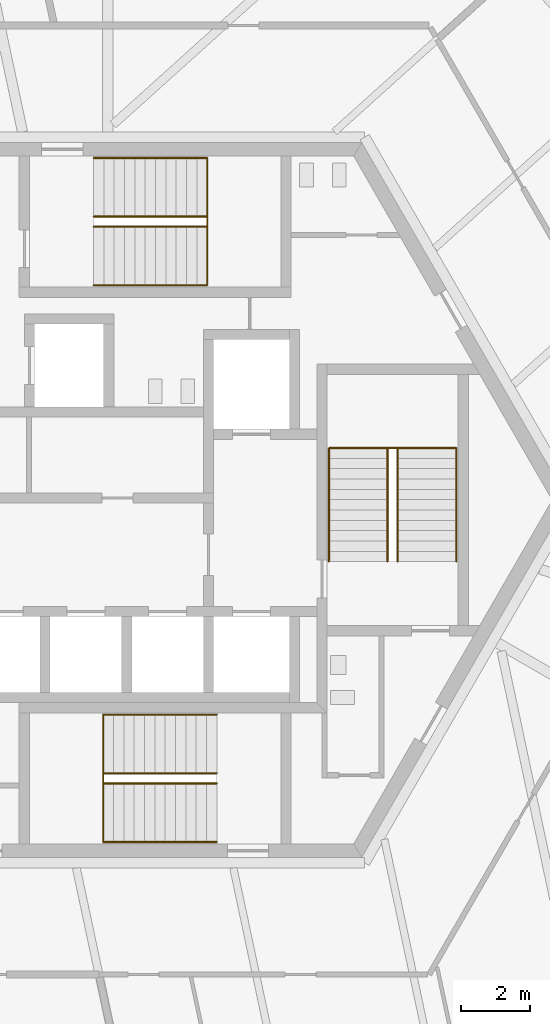
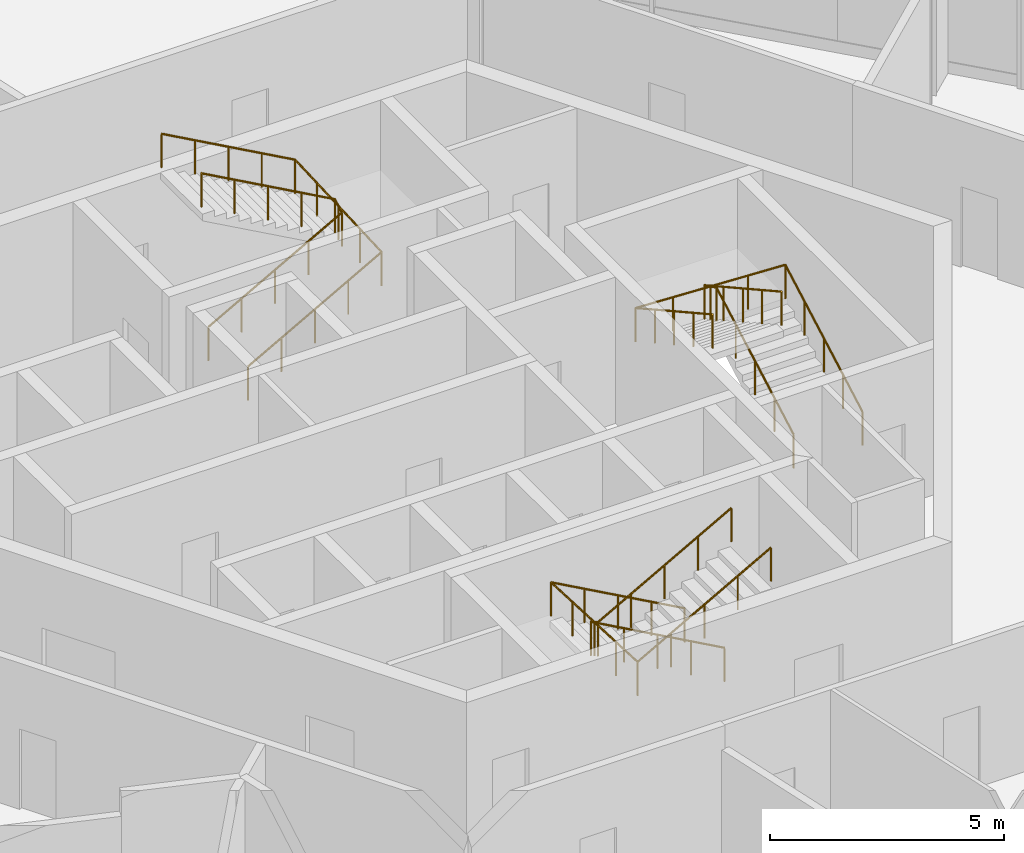
# One storey, part 13 of 14: 6 railings.
"""IFC4 building model written with IfcOpenShell, lengths in metres."""

from ifc_helpers import new_model, si_unit, direction, frame, origin, origin_2d, place, context, subcontext, project, spatial, circle, extrude, source, transform, mapped, material, type_object, element, save


model = new_model("IFC4")

# Units and contexts
model_context = context("Model", 3, precision=1e-05, world=origin(), true_north=direction((0.0, 1.0)))
body_context = subcontext(model_context, "Body", "Model", "MODEL_VIEW")
ifc_project = project(units=[si_unit("LENGTHUNIT", "METRE"), si_unit("AREAUNIT", "SQUARE_METRE"), si_unit("VOLUMEUNIT", "CUBIC_METRE"), si_unit("PLANEANGLEUNIT", "RADIAN"), si_unit("MASSUNIT", "GRAM", prefix="KILO")], contexts=[model_context])

# Site, building, storey
site_placement = place(None, origin())
site = spatial("IfcSite", under=ifc_project, at=site_placement, CompositionType="ELEMENT")
building_placement = place(site_placement, origin())
building = spatial("IfcBuilding", under=site, at=building_placement, Name="Triune Harvest Tower", CompositionType="ELEMENT")
storey_placement = place(building_placement, frame((0.0, 0.0, 284.699951171875)))
storey = spatial("IfcBuildingStorey", under=building, at=storey_placement, Name="L75", CompositionType="ELEMENT", Elevation=284.699951171875)

# Railings
ifc_material = material(Name="Stainless steel AISI 316", Category="steel")
railing_type = type_object("IfcRailingType", Name="Stair handrail", PredefinedType="HANDRAIL", material=ifc_material)
shared_shape_1 = source(origin(), body_context, "Body", "SweptSolid", [
    extrude(circle(Radius=0.02392578125, at=origin_2d()), frame((0.0, 0.0, 0.8759765625), z_axis=(0.874169478083, 0.0, 0.485620966999), x_axis=(0.0, 1.0, 0.0)), (0.0, 0.0, 1.0), 3.775146484375),
    extrude(circle(Radius=0.02392578125, at=origin_2d()), frame((3.300048828125, 0.0, 2.708984375), z_axis=(0.0, 0.998985998549, 0.045021935797), x_axis=(-1.0, 0.0, 0.0)), (0.0, 0.0, 1.0), 3.70361328125),
    extrude(circle(Radius=0.02392578125, at=origin_2d()), frame((3.300048828125, 3.699951171875, 2.8759765625), z_axis=(-0.874169478083, 0.0, 0.485620966999), x_axis=(0.0, -1.0, 0.0)), (0.0, 0.0, 1.0), 3.775146484375),
    extrude(circle(Radius=0.02099609375, at=origin_2d()), origin(), (0.0, 0.0, 1.0), 0.851806640625),
    extrude(circle(Radius=0.02099609375, at=origin_2d()), frame((0.824951171875, 0.0, 0.458251953125)), (0.0, 0.0, 1.0), 0.851806640625),
    extrude(circle(Radius=0.02099609375, at=origin_2d()), frame((1.64990234375, 0.0, 0.91650390625)), (0.0, 0.0, 1.0), 0.851806640625),
    extrude(circle(Radius=0.02099609375, at=origin_2d()), frame((2.47509765625, 0.0, 1.375)), (0.0, 0.0, 1.0), 0.851806640625),
    extrude(circle(Radius=0.02099609375, at=origin_2d()), frame((3.300048828125, 0.0, 1.833251953125)), (0.0, 0.0, 1.0), 0.851806640625),
    extrude(circle(Radius=0.02099609375, at=origin_2d()), frame((3.300048828125, 0.925048828125, 1.875)), (0.0, 0.0, 1.0), 0.851806640625),
    extrude(circle(Radius=0.02099609375, at=origin_2d()), frame((3.300048828125, 1.85009765625, 1.91650390625)), (0.0, 0.0, 1.0), 0.851806640625),
    extrude(circle(Radius=0.02099609375, at=origin_2d()), frame((3.300048828125, 2.77490234375, 1.958251953125)), (0.0, 0.0, 1.0), 0.851806640625),
    extrude(circle(Radius=0.02099609375, at=origin_2d()), frame((3.300048828125, 3.699951171875, 2.0)), (0.0, 0.0, 1.0), 0.851806640625),
    extrude(circle(Radius=0.02099609375, at=origin_2d()), frame((2.47509765625, 3.699951171875, 2.458251953125)), (0.0, 0.0, 1.0), 0.851806640625),
    extrude(circle(Radius=0.02099609375, at=origin_2d()), frame((1.64990234375, 3.699951171875, 2.91650390625)), (0.0, 0.0, 1.0), 0.851806640625),
    extrude(circle(Radius=0.02099609375, at=origin_2d()), frame((0.824951171875, 3.699951171875, 3.375)), (0.0, 0.0, 1.0), 0.851806640625),
    extrude(circle(Radius=0.02099609375, at=origin_2d()), frame((0.0, 3.699951171875, 3.833251953125)), (0.0, 0.0, 1.0), 0.851806640625),
])
railing_1_placement = place(storey_placement, frame((-1.7900390625, 6.239990234375, 0.166748046875)))
element("IfcRailing", 1, at=railing_1_placement, inside=storey, type_object=railing_type, Name="Exit stair north wall handrail", PredefinedType="HANDRAIL", context=body_context, shape_type="MappedRepresentation", body=[
    mapped(shared_shape_1, transform((0.0, 0.0, 0.0), scale=1.0)),
])
shared_shape_2 = source(origin(), body_context, "Body", "SweptSolid", [
    extrude(circle(Radius=0.02392578125, at=origin_2d()), frame((0.0, 0.0, 0.8759765625), z_axis=(0.874169478083, 0.0, 0.485620966999), x_axis=(0.0, 1.0, 0.0)), (0.0, 0.0, 1.0), 3.775146484375),
    extrude(circle(Radius=0.02392578125, at=origin_2d()), frame((3.300048828125, 0.0, 2.708984375), z_axis=(0.0, 0.874090171491, 0.485763699861), x_axis=(-1.0, 0.0, 0.0)), (0.0, 0.0, 1.0), 0.34326171875),
    extrude(circle(Radius=0.02392578125, at=origin_2d()), frame((3.300048828125, 0.300048828125, 2.8759765625), z_axis=(-0.874169478083, 0.0, 0.485620966999), x_axis=(0.0, -1.0, 0.0)), (0.0, 0.0, 1.0), 3.775146484375),
    extrude(circle(Radius=0.02099609375, at=origin_2d()), origin(), (0.0, 0.0, 1.0), 0.851806640625),
    extrude(circle(Radius=0.02099609375, at=origin_2d()), frame((0.824951171875, 0.0, 0.458251953125)), (0.0, 0.0, 1.0), 0.851806640625),
    extrude(circle(Radius=0.02099609375, at=origin_2d()), frame((1.64990234375, 0.0, 0.91650390625)), (0.0, 0.0, 1.0), 0.851806640625),
    extrude(circle(Radius=0.02099609375, at=origin_2d()), frame((2.47509765625, 0.0, 1.375)), (0.0, 0.0, 1.0), 0.851806640625),
    extrude(circle(Radius=0.02099609375, at=origin_2d()), frame((3.300048828125, 0.0, 1.833251953125)), (0.0, 0.0, 1.0), 0.851806640625),
    extrude(circle(Radius=0.02099609375, at=origin_2d()), frame((3.300048828125, 0.300048828125, 2.0)), (0.0, 0.0, 1.0), 0.851806640625),
    extrude(circle(Radius=0.02099609375, at=origin_2d()), frame((2.47509765625, 0.300048828125, 2.458251953125)), (0.0, 0.0, 1.0), 0.851806640625),
    extrude(circle(Radius=0.02099609375, at=origin_2d()), frame((1.64990234375, 0.300048828125, 2.91650390625)), (0.0, 0.0, 1.0), 0.851806640625),
    extrude(circle(Radius=0.02099609375, at=origin_2d()), frame((0.824951171875, 0.300048828125, 3.375)), (0.0, 0.0, 1.0), 0.851806640625),
    extrude(circle(Radius=0.02099609375, at=origin_2d()), frame((0.0, 0.300048828125, 3.833251953125)), (0.0, 0.0, 1.0), 0.851806640625),
])
railing_2_placement = place(storey_placement, frame((-1.7900390625, 7.93994140625, 0.166748046875)))
element("IfcRailing", 2, at=railing_2_placement, inside=storey, type_object=railing_type, Name="Exit stair north centre handrail", PredefinedType="HANDRAIL", context=body_context, shape_type="MappedRepresentation", body=[
    mapped(shared_shape_2, transform((0.0, 0.0, 0.0), scale=1.0)),
])
shared_shape_3 = source(origin(), body_context, "Body", "SweptSolid", [
    extrude(circle(Radius=0.02392578125, at=origin_2d()), frame((0.0, 0.0, 0.8759765625), z_axis=(-0.874169478083, 0.0, 0.485620966999), x_axis=(0.0, -1.0, 0.0)), (0.0, 0.0, 1.0), 3.775146484375),
    extrude(circle(Radius=0.02392578125, at=origin_2d()), frame((-3.300048828125, 0.0, 2.708984375), z_axis=(0.0, -0.998985998549, 0.045021935797), x_axis=(1.0, 0.0, 0.0)), (0.0, 0.0, 1.0), 3.70361328125),
    extrude(circle(Radius=0.02392578125, at=origin_2d()), frame((-3.300048828125, -3.699951171875, 2.8759765625), z_axis=(0.874169478083, 0.0, 0.485620966999), x_axis=(0.0, 1.0, 0.0)), (0.0, 0.0, 1.0), 3.775146484375),
    extrude(circle(Radius=0.02099609375, at=origin_2d()), origin(), (0.0, 0.0, 1.0), 0.851806640625),
    extrude(circle(Radius=0.02099609375, at=origin_2d()), frame((-0.824951171875, 0.0, 0.458251953125)), (0.0, 0.0, 1.0), 0.851806640625),
    extrude(circle(Radius=0.02099609375, at=origin_2d()), frame((-1.64990234375, 0.0, 0.91650390625)), (0.0, 0.0, 1.0), 0.851806640625),
    extrude(circle(Radius=0.02099609375, at=origin_2d()), frame((-2.47509765625, 0.0, 1.375)), (0.0, 0.0, 1.0), 0.851806640625),
    extrude(circle(Radius=0.02099609375, at=origin_2d()), frame((-3.300048828125, 0.0, 1.833251953125)), (0.0, 0.0, 1.0), 0.851806640625),
    extrude(circle(Radius=0.02099609375, at=origin_2d()), frame((-3.300048828125, -0.925048828125, 1.875)), (0.0, 0.0, 1.0), 0.851806640625),
    extrude(circle(Radius=0.02099609375, at=origin_2d()), frame((-3.300048828125, -1.85009765625, 1.91650390625)), (0.0, 0.0, 1.0), 0.851806640625),
    extrude(circle(Radius=0.02099609375, at=origin_2d()), frame((-3.300048828125, -2.77490234375, 1.958251953125)), (0.0, 0.0, 1.0), 0.851806640625),
    extrude(circle(Radius=0.02099609375, at=origin_2d()), frame((-3.300048828125, -3.699951171875, 2.0)), (0.0, 0.0, 1.0), 0.851806640625),
    extrude(circle(Radius=0.02099609375, at=origin_2d()), frame((-2.47509765625, -3.699951171875, 2.458251953125)), (0.0, 0.0, 1.0), 0.851806640625),
    extrude(circle(Radius=0.02099609375, at=origin_2d()), frame((-1.64990234375, -3.699951171875, 2.91650390625)), (0.0, 0.0, 1.0), 0.851806640625),
    extrude(circle(Radius=0.02099609375, at=origin_2d()), frame((-0.824951171875, -3.699951171875, 3.375)), (0.0, 0.0, 1.0), 0.851806640625),
    extrude(circle(Radius=0.02099609375, at=origin_2d()), frame((0.0, -3.699951171875, 3.833251953125)), (0.0, 0.0, 1.0), 0.851806640625),
])
railing_3_placement = place(storey_placement, frame((1.7900390625, -6.239990234375, 0.166748046875)))
element("IfcRailing", 3, at=railing_3_placement, inside=storey, type_object=railing_type, Name="Exit stair south wall handrail", PredefinedType="HANDRAIL", context=body_context, shape_type="MappedRepresentation", body=[
    mapped(shared_shape_3, transform((0.0, 0.0, 0.0), scale=1.0)),
])
shared_shape_4 = source(origin(), body_context, "Body", "SweptSolid", [
    extrude(circle(Radius=0.02392578125, at=origin_2d()), frame((0.0, 0.0, 0.8759765625), z_axis=(-0.874169478083, 0.0, 0.485620966999), x_axis=(0.0, -1.0, 0.0)), (0.0, 0.0, 1.0), 3.775146484375),
    extrude(circle(Radius=0.02392578125, at=origin_2d()), frame((-3.300048828125, 0.0, 2.708984375), z_axis=(0.0, -0.874090171491, 0.485763699861), x_axis=(1.0, 0.0, 0.0)), (0.0, 0.0, 1.0), 0.34326171875),
    extrude(circle(Radius=0.02392578125, at=origin_2d()), frame((-3.300048828125, -0.300048828125, 2.8759765625), z_axis=(0.874169478083, 0.0, 0.485620966999), x_axis=(0.0, 1.0, 0.0)), (0.0, 0.0, 1.0), 3.775146484375),
    extrude(circle(Radius=0.02099609375, at=origin_2d()), origin(), (0.0, 0.0, 1.0), 0.851806640625),
    extrude(circle(Radius=0.02099609375, at=origin_2d()), frame((-0.824951171875, 0.0, 0.458251953125)), (0.0, 0.0, 1.0), 0.851806640625),
    extrude(circle(Radius=0.02099609375, at=origin_2d()), frame((-1.64990234375, 0.0, 0.91650390625)), (0.0, 0.0, 1.0), 0.851806640625),
    extrude(circle(Radius=0.02099609375, at=origin_2d()), frame((-2.47509765625, 0.0, 1.375)), (0.0, 0.0, 1.0), 0.851806640625),
    extrude(circle(Radius=0.02099609375, at=origin_2d()), frame((-3.300048828125, 0.0, 1.833251953125)), (0.0, 0.0, 1.0), 0.851806640625),
    extrude(circle(Radius=0.02099609375, at=origin_2d()), frame((-3.300048828125, -0.300048828125, 2.0)), (0.0, 0.0, 1.0), 0.851806640625),
    extrude(circle(Radius=0.02099609375, at=origin_2d()), frame((-2.47509765625, -0.300048828125, 2.458251953125)), (0.0, 0.0, 1.0), 0.851806640625),
    extrude(circle(Radius=0.02099609375, at=origin_2d()), frame((-1.64990234375, -0.300048828125, 2.91650390625)), (0.0, 0.0, 1.0), 0.851806640625),
    extrude(circle(Radius=0.02099609375, at=origin_2d()), frame((-0.824951171875, -0.300048828125, 3.375)), (0.0, 0.0, 1.0), 0.851806640625),
    extrude(circle(Radius=0.02099609375, at=origin_2d()), frame((0.0, -0.300048828125, 3.833251953125)), (0.0, 0.0, 1.0), 0.851806640625),
])
railing_4_placement = place(storey_placement, frame((1.7900390625, -7.93994140625, 0.166748046875)))
element("IfcRailing", 4, at=railing_4_placement, inside=storey, type_object=railing_type, Name="Exit stair south centre handrail", PredefinedType="HANDRAIL", context=body_context, shape_type="MappedRepresentation", body=[
    mapped(shared_shape_4, transform((0.0, 0.0, 0.0), scale=1.0)),
])
shared_shape_5 = source(origin(), body_context, "Body", "SweptSolid", [
    extrude(circle(Radius=0.02392578125, at=origin_2d()), frame((0.0, 0.0, 0.8759765625), z_axis=(0.0, 0.874169478083, 0.485620966999), x_axis=(-1.0, 0.0, 0.0)), (0.0, 0.0, 1.0), 3.775146484375),
    extrude(circle(Radius=0.02392578125, at=origin_2d()), frame((0.0, 3.300048828125, 2.708984375), z_axis=(-0.998985998549, 0.0, 0.045021935797), x_axis=(0.0, -1.0, 0.0)), (0.0, 0.0, 1.0), 3.70361328125),
    extrude(circle(Radius=0.02392578125, at=origin_2d()), frame((-3.699951171875, 3.300048828125, 2.8759765625), z_axis=(0.0, -0.874169478083, 0.485620966999), x_axis=(1.0, 0.0, 0.0)), (0.0, 0.0, 1.0), 3.775146484375),
    extrude(circle(Radius=0.02099609375, at=origin_2d()), origin(), (0.0, 0.0, 1.0), 0.851806640625),
    extrude(circle(Radius=0.02099609375, at=origin_2d()), frame((0.0, 0.824951171875, 0.458251953125)), (0.0, 0.0, 1.0), 0.851806640625),
    extrude(circle(Radius=0.02099609375, at=origin_2d()), frame((0.0, 1.64990234375, 0.91650390625)), (0.0, 0.0, 1.0), 0.851806640625),
    extrude(circle(Radius=0.02099609375, at=origin_2d()), frame((0.0, 2.47509765625, 1.375)), (0.0, 0.0, 1.0), 0.851806640625),
    extrude(circle(Radius=0.02099609375, at=origin_2d()), frame((0.0, 3.300048828125, 1.833251953125)), (0.0, 0.0, 1.0), 0.851806640625),
    extrude(circle(Radius=0.02099609375, at=origin_2d()), frame((-0.925048828125, 3.300048828125, 1.875)), (0.0, 0.0, 1.0), 0.851806640625),
    extrude(circle(Radius=0.02099609375, at=origin_2d()), frame((-1.85009765625, 3.300048828125, 1.91650390625)), (0.0, 0.0, 1.0), 0.851806640625),
    extrude(circle(Radius=0.02099609375, at=origin_2d()), frame((-2.77490234375, 3.300048828125, 1.958251953125)), (0.0, 0.0, 1.0), 0.851806640625),
    extrude(circle(Radius=0.02099609375, at=origin_2d()), frame((-3.699951171875, 3.300048828125, 2.0)), (0.0, 0.0, 1.0), 0.851806640625),
    extrude(circle(Radius=0.02099609375, at=origin_2d()), frame((-3.699951171875, 2.47509765625, 2.458251953125)), (0.0, 0.0, 1.0), 0.851806640625),
    extrude(circle(Radius=0.02099609375, at=origin_2d()), frame((-3.699951171875, 1.64990234375, 2.91650390625)), (0.0, 0.0, 1.0), 0.851806640625),
    extrude(circle(Radius=0.02099609375, at=origin_2d()), frame((-3.699951171875, 0.824951171875, 3.375)), (0.0, 0.0, 1.0), 0.851806640625),
    extrude(circle(Radius=0.02099609375, at=origin_2d()), frame((-3.699951171875, 0.0, 3.833251953125)), (0.0, 0.0, 1.0), 0.851806640625),
])
railing_5_placement = place(storey_placement, frame((8.75, -1.7900390625, 0.166748046875)))
element("IfcRailing", 5, at=railing_5_placement, inside=storey, type_object=railing_type, Name="Exit stair east wall handrail", PredefinedType="HANDRAIL", context=body_context, shape_type="MappedRepresentation", body=[
    mapped(shared_shape_5, transform((0.0, 0.0, 0.0), scale=1.0)),
])
shared_shape_6 = source(origin(), body_context, "Body", "SweptSolid", [
    extrude(circle(Radius=0.02392578125, at=origin_2d()), frame((0.0, 0.0, 0.8759765625), z_axis=(0.0, 0.874169478083, 0.485620966999), x_axis=(-1.0, 0.0, 0.0)), (0.0, 0.0, 1.0), 3.775146484375),
    extrude(circle(Radius=0.02392578125, at=origin_2d()), frame((0.0, 3.300048828125, 2.708984375), z_axis=(-0.874090171491, 0.0, 0.485763699861), x_axis=(0.0, -1.0, 0.0)), (0.0, 0.0, 1.0), 0.34326171875),
    extrude(circle(Radius=0.02392578125, at=origin_2d()), frame((-0.300048828125, 3.300048828125, 2.8759765625), z_axis=(0.0, -0.874169478083, 0.485620966999), x_axis=(1.0, 0.0, 0.0)), (0.0, 0.0, 1.0), 3.775146484375),
    extrude(circle(Radius=0.02099609375, at=origin_2d()), origin(), (0.0, 0.0, 1.0), 0.851806640625),
    extrude(circle(Radius=0.02099609375, at=origin_2d()), frame((0.0, 0.824951171875, 0.458251953125)), (0.0, 0.0, 1.0), 0.851806640625),
    extrude(circle(Radius=0.02099609375, at=origin_2d()), frame((0.0, 1.64990234375, 0.91650390625)), (0.0, 0.0, 1.0), 0.851806640625),
    extrude(circle(Radius=0.02099609375, at=origin_2d()), frame((0.0, 2.47509765625, 1.375)), (0.0, 0.0, 1.0), 0.851806640625),
    extrude(circle(Radius=0.02099609375, at=origin_2d()), frame((0.0, 3.300048828125, 1.833251953125)), (0.0, 0.0, 1.0), 0.851806640625),
    extrude(circle(Radius=0.02099609375, at=origin_2d()), frame((-0.300048828125, 3.300048828125, 2.0)), (0.0, 0.0, 1.0), 0.851806640625),
    extrude(circle(Radius=0.02099609375, at=origin_2d()), frame((-0.300048828125, 2.47509765625, 2.458251953125)), (0.0, 0.0, 1.0), 0.851806640625),
    extrude(circle(Radius=0.02099609375, at=origin_2d()), frame((-0.300048828125, 1.64990234375, 2.91650390625)), (0.0, 0.0, 1.0), 0.851806640625),
    extrude(circle(Radius=0.02099609375, at=origin_2d()), frame((-0.300048828125, 0.824951171875, 3.375)), (0.0, 0.0, 1.0), 0.851806640625),
    extrude(circle(Radius=0.02099609375, at=origin_2d()), frame((-0.300048828125, 0.0, 3.833251953125)), (0.0, 0.0, 1.0), 0.851806640625),
])
railing_6_placement = place(storey_placement, frame((7.050048828125, -1.7900390625, 0.166748046875)))
element("IfcRailing", 6, at=railing_6_placement, inside=storey, type_object=railing_type, Name="Exit stair east centre handrail", PredefinedType="HANDRAIL", context=body_context, shape_type="MappedRepresentation", body=[
    mapped(shared_shape_6, transform((0.0, 0.0, 0.0), scale=1.0)),
])

save(model, "model.ifc")
